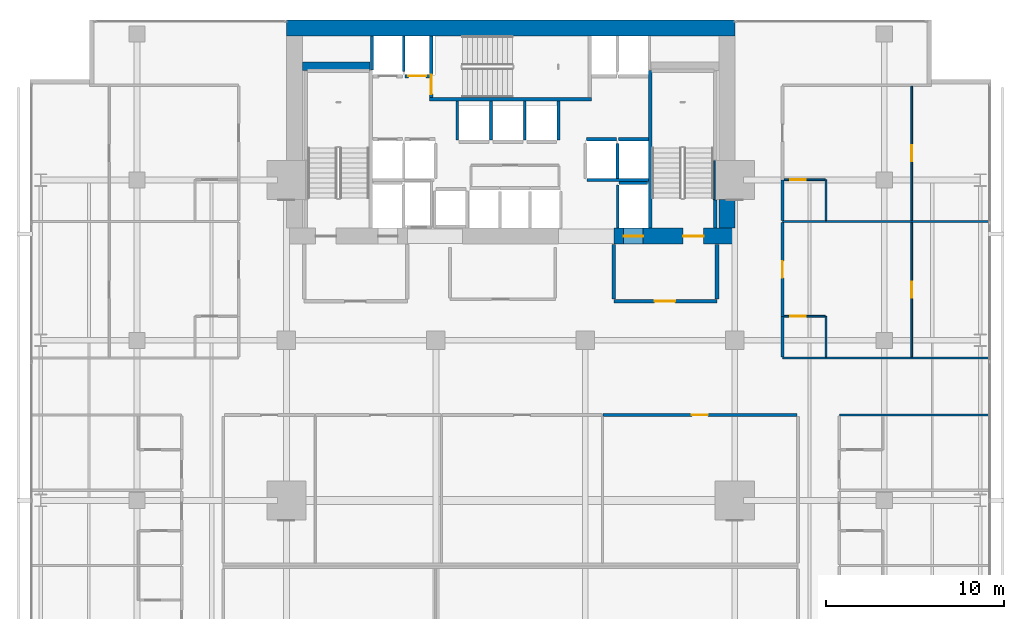
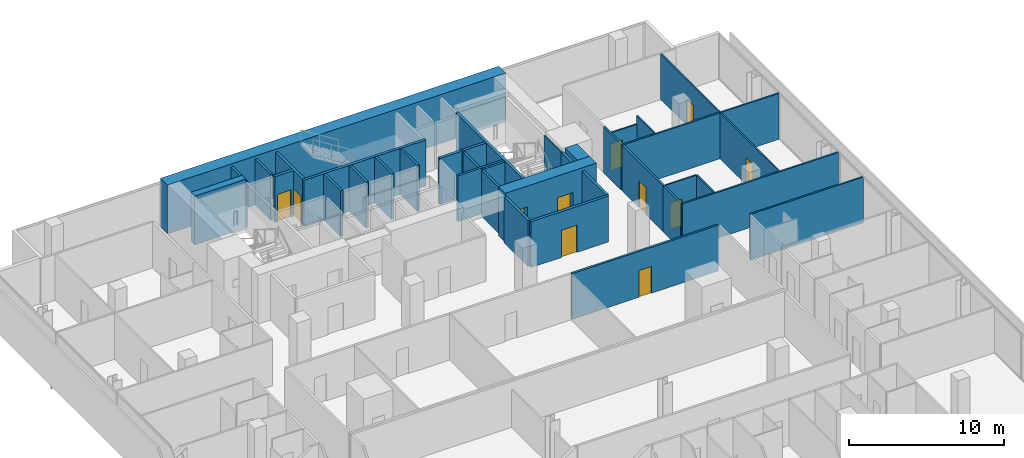
# One storey, part 37 of 40: 38 walls, 11 doors, 11 openings.
"""IFC4 building model written with IfcOpenShell, lengths in metres."""

from ifc_helpers import new_model, si_unit, direction, frame, frame_2d, origin, place, context, subcontext, project, spatial, rectangle, extrude, material, layer, layer_set, type_object, element, fill, save


model = new_model("IFC4")

# Units and contexts
model_context = context("Model", 3, precision=1e-05, world=origin(), true_north=direction((0.0, 1.0)))
body_context = subcontext(model_context, "Body", "Model", "MODEL_VIEW")
ifc_project = project(units=[si_unit("LENGTHUNIT", "METRE"), si_unit("AREAUNIT", "SQUARE_METRE"), si_unit("VOLUMEUNIT", "CUBIC_METRE"), si_unit("PLANEANGLEUNIT", "RADIAN"), si_unit("MASSUNIT", "GRAM", prefix="KILO")], contexts=[model_context])

# Site, building, storey
site_placement = place(None, origin())
site = spatial("IfcSite", under=ifc_project, at=site_placement, CompositionType="ELEMENT")
building_placement = place(site_placement, origin())
building = spatial("IfcBuilding", under=site, at=building_placement, Name="Maruvema Waterfront Hotel and Observation Tower", CompositionType="ELEMENT")
storey_placement = place(building_placement, frame((0.0, 0.0, 30.800048828125)))
storey = spatial("IfcBuildingStorey", under=building, at=storey_placement, Name="L06", CompositionType="ELEMENT", Elevation=30.800048828125)

# Wall, opening, door
ifc_material_1 = material(Name="Twin-stud acoustic gypsum drywall", Category="gypsum")
ifc_layer_1 = layer(ifc_material_1, 0.14990234375, Name="Acoustic Corridor and Suite Demising Wall 150 mm")
ifc_layer_set_1 = layer_set([ifc_layer_1], Name="Twin-stud acoustic gypsum drywall")
wall_type_1 = type_object("IfcWallType", Name="Acoustic Corridor and Suite Demising Wall 150 mm", PredefinedType="PARTITIONING", material=ifc_layer_set_1)
wall_1_placement = place(storey_placement, frame((42.998046875, 31.800048828125, 0.0), z_axis=(0.0, 0.0, 1.0), x_axis=(1.0, 0.0, 0.0)))
wall_1 = element("IfcWall", 1, at=wall_1_placement, inside=storey, type_object=wall_type_1, Name="L06 L06-INTN Front 4 025", PredefinedType="PARTITIONING", context=body_context, shape_type="SweptSolid", body=[
    extrude(rectangle(XDim=10.891845703125, YDim=0.14990234375, at=frame_2d((5.44580078125, 0.0))), origin(), (0.0, 0.0, 1.0), 3.60986328125),
])
opening_1_placement = place(wall_1_placement, frame((4.99609375, 0.0, 0.0)))
opening_1 = element("IfcOpeningElement", 2, at=opening_1_placement, cuts=wall_1, Name="Opening DR-090", PredefinedType="OPENING", context=body_context, shape_type="SweptSolid", body=[
    extrude(rectangle(XDim=0.89990234375, YDim=2.10009765625, at=frame_2d((0.449951171875, 1.050048828125))), frame((0.0, 0.0849609375, 0.0), z_axis=(0.0, -1.0, 0.0), x_axis=(1.0, 0.0, 0.0)), (0.0, 0.0, 1.0), 0.169921875),
])
ifc_material_2 = material(Name="Solid-core lacquered timber leaf", Category="wood")
door_type_1 = type_object("IfcDoorType", Name="Accessible Toilet and Room Door 900x2100 mm", OperationType="NOTDEFINED", PredefinedType="DOOR", material=ifc_material_2)
door_1_placement = place(opening_1_placement, origin())
door_1 = element("IfcDoor", 3, at=door_1_placement, inside=storey, type_object=door_type_1, Name="L06 Housekeeping Linen Room Door", OperationType="SINGLE_SWING_RIGHT", OverallHeight=2.10009765625, OverallWidth=0.89990234375, PredefinedType="DOOR", context=body_context, shape_type="SweptSolid", body=[
    extrude(rectangle(XDim=0.89990234375, YDim=2.10009765625, at=frame_2d((0.449951171875, 1.050048828125))), frame((0.0, 0.02490234375, 0.0), z_axis=(0.0, -1.0, 0.0), x_axis=(1.0, 0.0, 0.0)), (0.0, 0.0, 1.0), 0.050048828125),
])
fill(opening_1, door_1)

# Wall
wall_2_placement = place(storey_placement, frame((53.080078125, 35.06005859375, 0.0), z_axis=(0.0, 0.0, 1.0), x_axis=(0.0, 1.0, 0.0)))
element("IfcWall", 4, at=wall_2_placement, inside=storey, type_object=wall_type_1, Name="L06 Bath L06-NE1 Wall 126", PredefinedType="PARTITIONING", context=body_context, shape_type="SweptSolid", body=[
    extrude(rectangle(XDim=2.2900390625, YDim=0.14990234375, at=frame_2d((1.14501953125, 0.0))), origin(), (0.0, 0.0, 1.0), 3.60986328125),
])

# Wall, opening, door
wall_3_placement = place(storey_placement, frame((53.080078125, 37.35009765625, 0.0), z_axis=(0.0, 0.0, 1.0), x_axis=(0.0, 1.0, 0.0)))
wall_3 = element("IfcWall", 5, at=wall_3_placement, inside=storey, type_object=wall_type_1, Name="L06 Room L06-NE1 Corridor Wall 127", PredefinedType="PARTITIONING", context=body_context, shape_type="SweptSolid", body=[
    extrude(rectangle(XDim=5.2587890625, YDim=0.14990234375, at=frame_2d((2.62939453125, 0.0))), origin(), (0.0, 0.0, 1.0), 3.60986328125),
])
opening_2_placement = place(wall_3_placement, frame((2.154296875, 0.0, 0.0)))
opening_2 = element("IfcOpeningElement", 6, at=opening_2_placement, cuts=wall_3, Name="Opening DR-095", PredefinedType="OPENING", context=body_context, shape_type="SweptSolid", body=[
    extrude(rectangle(XDim=0.949951171875, YDim=2.14990234375, at=frame_2d((0.47509765625, 1.074951171875))), frame((0.0, 0.0849609375, 0.0), z_axis=(0.0, -1.0, 0.0), x_axis=(1.0, 0.0, 0.0)), (0.0, 0.0, 1.0), 0.169921875),
])
ifc_material_3 = material(Name="Acoustic solid-core hardwood timber leaf", Category="wood")
door_type_2 = type_object("IfcDoorType", Name="Guestroom Entrance Fire Door 950x2150 mm", OperationType="NOTDEFINED", PredefinedType="DOOR", material=ifc_material_3)
door_2_placement = place(opening_2_placement, frame((0.949951171875, 0.0, 0.0), z_axis=(0.0, 0.0, 1.0), x_axis=(-1.0, 0.0, 0.0)))
door_2 = element("IfcDoor", 7, at=door_2_placement, inside=storey, type_object=door_type_2, Name="L06 Room L06-NE1 Entrance Door", OperationType="SINGLE_SWING_LEFT", OverallHeight=2.14990234375, OverallWidth=0.949951171875, PredefinedType="DOOR", context=body_context, shape_type="SweptSolid", body=[
    extrude(rectangle(XDim=0.949951171875, YDim=2.14990234375, at=frame_2d((0.47509765625, 1.074951171875))), frame((0.0, 0.02490234375, 0.0), z_axis=(0.0, -1.0, 0.0), x_axis=(1.0, 0.0, 0.0)), (0.0, 0.0, 1.0), 0.050048828125),
])
fill(opening_2, door_2)

# Walls
wall_4_placement = place(storey_placement, frame((53.080078125, 42.728759765625, 0.0), z_axis=(0.0, 0.0, 1.0), x_axis=(0.0, 1.0, 0.0)))
element("IfcWall", 8, at=wall_4_placement, inside=storey, type_object=wall_type_1, Name="L06 Bath L06-NE2 Wall 138", PredefinedType="PARTITIONING", context=body_context, shape_type="SweptSolid", body=[
    extrude(rectangle(XDim=2.2900390625, YDim=0.14990234375, at=frame_2d((1.14501953125, 0.0))), origin(), (0.0, 0.0, 1.0), 3.60986328125),
])
ifc_material_4 = material(Name="Precast concrete C45/55", Category="concrete")
ifc_layer_2 = layer(ifc_material_4, 0.199951171875, Name="Core Shaft and Stairwell Enclosure Wall 200 mm")
ifc_layer_set_2 = layer_set([ifc_layer_2], Name="Precast concrete C45/55")
wall_type_2 = type_object("IfcWallType", Name="Core Shaft and Stairwell Enclosure Wall 200 mm", PredefinedType="SOLIDWALL", material=ifc_layer_set_2)
wall_5_placement = place(storey_placement, frame((33.25, 49.550048828125, 0.0), z_axis=(0.0, 0.0, 1.0), x_axis=(1.0, 0.0, 0.0)))
element("IfcWall", 9, at=wall_5_placement, inside=storey, type_object=wall_type_2, Name="L06 Stairwell ST-02 Shaft Wall", PredefinedType="SOLIDWALL", context=body_context, shape_type="SweptSolid", body=[
    extrude(rectangle(XDim=9.10009765625, YDim=0.199951171875, at=frame_2d((4.550048828125, 0.0))), origin(), (0.0, 0.0, 1.0), 3.60986328125),
])

# Wall, opening, door
wall_6_placement = place(storey_placement, frame((33.35009765625, 49.64990234375, 0.0), z_axis=(0.0, 0.0, 1.0), x_axis=(0.0, 1.0, 0.0)))
wall_6 = element("IfcWall", 10, at=wall_6_placement, inside=storey, type_object=wall_type_2, Name="L06 Stairwell ST-02 Shaft Wall", PredefinedType="SOLIDWALL", context=body_context, shape_type="SweptSolid", body=[
    extrude(rectangle(XDim=3.4501953125, YDim=0.199951171875, at=frame_2d((1.72509765625, 0.0))), origin(), (0.0, 0.0, 1.0), 3.60986328125),
])
opening_3_placement = place(wall_6_placement, frame((0.179931640625, 0.0, 0.0)))
opening_3 = element("IfcOpeningElement", 11, at=opening_3_placement, cuts=wall_6, Name="Opening SD-02", PredefinedType="OPENING", context=body_context, shape_type="SweptSolid", body=[
    extrude(rectangle(XDim=1.10009765625, YDim=2.14990234375, at=frame_2d((0.550048828125, 1.074951171875))), frame((0.0, 0.10986328125, 0.0), z_axis=(0.0, -1.0, 0.0), x_axis=(1.0, 0.0, 0.0)), (0.0, 0.0, 1.0), 0.219970703125),
])
ifc_material_5 = material(Name="Fire-rated galvanised steel leaf", Category="steel")
door_type_3 = type_object("IfcDoorType", Name="Central Exit Stair Fire Door 1100x2150 mm", OperationType="NOTDEFINED", PredefinedType="DOOR", material=ifc_material_5)
door_3_placement = place(opening_3_placement, frame((1.10009765625, 0.0, 0.0), z_axis=(0.0, 0.0, 1.0), x_axis=(-1.0, 0.0, 0.0)))
door_3 = element("IfcDoor", 12, at=door_3_placement, inside=storey, type_object=door_type_3, Name="L06 Exit Stair ST-02 Fire Door", OperationType="SINGLE_SWING_LEFT", OverallHeight=2.14990234375, OverallWidth=1.10009765625, PredefinedType="DOOR", context=body_context, shape_type="SweptSolid", body=[
    extrude(rectangle(XDim=1.10009765625, YDim=2.14990234375, at=frame_2d((0.550048828125, 1.074951171875))), frame((0.0, 0.02490234375, 0.0), z_axis=(0.0, -1.0, 0.0), x_axis=(1.0, 0.0, 0.0)), (0.0, 0.0, 1.0), 0.050048828125),
])
fill(opening_3, door_3)

# Walls
wall_7_placement = place(storey_placement, frame((45.64990234375, 42.300048828125, 0.0), z_axis=(0.0, 0.0, 1.0), x_axis=(0.0, 1.0, 0.0)))
element("IfcWall", 13, at=wall_7_placement, inside=storey, type_object=wall_type_2, Name="L06 Stairwell ST-03 West Shaft Wall", PredefinedType="SOLIDWALL", context=body_context, shape_type="SweptSolid", body=[
    extrude(rectangle(XDim=8.849853515625, YDim=0.199951171875, at=frame_2d((4.4248046875, 0.0))), origin(), (0.0, 0.0, 1.0), 3.60986328125),
])
wall_8_placement = place(storey_placement, frame((49.300048828125, 42.300048828125, 0.0), z_axis=(0.0, 0.0, 1.0), x_axis=(0.0, 1.0, 0.0)))
element("IfcWall", 14, at=wall_8_placement, inside=storey, type_object=wall_type_2, Name="L06 Stairwell ST-03 Shaft Lining Wall", PredefinedType="SOLIDWALL", context=body_context, shape_type="SweptSolid", body=[
    extrude(rectangle(XDim=1.579833984375, YDim=0.199951171875, at=frame_2d((0.7900390625, 0.0))), origin(), (0.0, 0.0, 1.0), 3.60986328125),
])

# Wall, opening, door
wall_9_placement = place(storey_placement, frame((31.860107421875, 50.85009765625, 0.0), z_axis=(0.0, 0.0, 1.0), x_axis=(1.0, 0.0, 0.0)))
wall_9 = element("IfcWall", 15, at=wall_9_placement, inside=storey, type_object=wall_type_2, Name="L06 Lift LF-04 Hoistway Front Wall", PredefinedType="SOLIDWALL", context=body_context, shape_type="SweptSolid", body=[
    extrude(rectangle(XDim=1.3798828125, YDim=0.199951171875, at=frame_2d((0.68994140625, 0.0))), origin(), (0.0, 0.0, 1.0), 3.60986328125),
])
opening_4_placement = place(wall_9_placement, frame((0.18994140625, 0.0, 0.0)))
opening_4 = element("IfcOpeningElement", 16, at=opening_4_placement, cuts=wall_9, Name="Opening LD-01", PredefinedType="OPENING", context=body_context, shape_type="SweptSolid", body=[
    extrude(rectangle(XDim=1.0, YDim=2.14990234375, at=frame_2d((0.5, 1.074951171875))), frame((0.0, 0.10986328125, 0.0), z_axis=(0.0, -1.0, 0.0), x_axis=(1.0, 0.0, 0.0)), (0.0, 0.0, 1.0), 0.219970703125),
])
ifc_material_6 = material(Name="Brushed stainless steel Grade 316", Category="steel")
door_type_4 = type_object("IfcDoorType", Name="Passenger Lift Sliding Landing Door 1000x2150 mm", OperationType="SLIDING_TO_LEFT", PredefinedType="DOOR", material=ifc_material_6)
door_4_placement = place(opening_4_placement, frame((1.0, 0.0, 0.0), z_axis=(0.0, 0.0, 1.0), x_axis=(-1.0, 0.0, 0.0)))
door_4 = element("IfcDoor", 17, at=door_4_placement, inside=storey, type_object=door_type_4, Name="L06 Lift LF-04 Sliding Landing Door", OperationType="SLIDING_TO_LEFT", OverallHeight=2.14990234375, OverallWidth=1.0, PredefinedType="DOOR", context=body_context, shape_type="SweptSolid", body=[
    extrude(rectangle(XDim=1.0, YDim=2.14990234375, at=frame_2d((0.5, 1.074951171875))), frame((0.0, 0.02490234375, 0.0), z_axis=(0.0, -1.0, 0.0), x_axis=(1.0, 0.0, 0.0)), (0.0, 0.0, 1.0), 0.050048828125),
])
fill(opening_4, door_4)

# Walls
for number, where, z_axis, x_axis, name in (
    (18, (42.06005859375, 47.300048828125, 0.0), (0.0, 0.0, 1.0), (1.0, 0.0, 0.0), "L06 Lift LF-05 Hoistway Front Wall"),
    (19, (43.860107421875, 47.300048828125, 0.0), (0.0, 0.0, 1.0), (1.0, 0.0, 0.0), "L06 Lift LF-06 Hoistway Front Wall"),
):
    element("IfcWall", number, at=place(storey_placement, frame(where, z_axis=z_axis, x_axis=x_axis)), inside=storey, type_object=wall_type_2, Name=name, PredefinedType="SOLIDWALL", context=body_context, shape_type="SweptSolid", body=[
        extrude(rectangle(XDim=1.679931640625, YDim=0.199951171875, at=frame_2d((0.83984375, 0.0))), origin(), (0.0, 0.0, 1.0), 3.60986328125),
    ])
ifc_material_7 = material(Name="Concrete C70/85", Category="concrete")
ifc_layer_3 = layer(ifc_material_7, 0.5, Name="Core Shear Wall 500 mm")
ifc_layer_set_3 = layer_set([ifc_layer_3], Name="Concrete C70/85")
wall_type_3 = type_object("IfcWallType", Name="Core Shear Wall 500 mm", PredefinedType="SHEAR", material=ifc_layer_set_3)
wall_10_placement = place(storey_placement, frame((26.10009765625, 51.39990234375, 0.0), z_axis=(0.0, 0.0, 1.0), x_axis=(1.0, 0.0, 0.0)))
element("IfcWall", 20, at=wall_10_placement, inside=storey, type_object=wall_type_3, Name="L06 Internal Core Shear Wall NW 500 mm", PredefinedType="SHEAR", context=body_context, shape_type="SweptSolid", body=[
    extrude(rectangle(XDim=3.7998046875, YDim=0.5, at=frame_2d((1.89990234375, 0.0))), origin(), (0.0, 0.0, 1.0), 3.849853515625),
])
ifc_material_8 = material(Name="Concrete C80/95", Category="concrete")
ifc_layer_4 = layer(ifc_material_8, 0.89990234375, Name="Core Shear Wall 900 mm")
ifc_layer_set_4 = layer_set([ifc_layer_4], Name="Concrete C80/95")
wall_type_4 = type_object("IfcWallType", Name="Core Shear Wall 900 mm", PredefinedType="SHEAR", material=ifc_layer_set_4)
wall_11_placement = place(storey_placement, frame((25.199951171875, 53.550048828125, 0.0), z_axis=(0.0, 0.0, 1.0), x_axis=(1.0, 0.0, 0.0)))
element("IfcWall", 21, at=wall_11_placement, inside=storey, type_object=wall_type_4, Name="L06 North Core Shear Wall", PredefinedType="SHEAR", context=body_context, shape_type="SweptSolid", body=[
    extrude(rectangle(XDim=25.199951171875, YDim=0.89990234375, at=frame_2d((12.60009765625, 0.0))), origin(), (0.0, 0.0, 1.0), 3.849853515625),
])

# Wall, openings, doors
wall_12_placement = place(storey_placement, frame((43.60009765625, 41.85009765625, 0.0), z_axis=(0.0, 0.0, 1.0), x_axis=(1.0, 0.0, 0.0)))
wall_12 = element("IfcWall", 22, at=wall_12_placement, inside=storey, type_object=wall_type_4, Name="L06 South-East Core Shear Wall", PredefinedType="SHEAR", context=body_context, shape_type="SweptSolid", body=[
    extrude(rectangle(XDim=6.7998046875, YDim=0.89990234375, at=frame_2d((3.39990234375, 0.0))), origin(), (0.0, 0.0, 1.0), 3.849853515625),
])
opening_5_placement = place(wall_12_placement, frame((3.89990234375, 0.0, 0.0)))
opening_5 = element("IfcOpeningElement", 23, at=opening_5_placement, cuts=wall_12, Name="Opening SD-01", PredefinedType="OPENING", context=body_context, shape_type="SweptSolid", body=[
    extrude(rectangle(XDim=1.14990234375, YDim=2.14990234375, at=frame_2d((0.574951171875, 1.074951171875))), frame((0.0, 0.4599609375, 0.0), z_axis=(0.0, -1.0, 0.0), x_axis=(1.0, 0.0, 0.0)), (0.0, 0.0, 1.0), 0.919921875),
])
opening_6_placement = place(wall_12_placement, frame((0.550048828125, 0.0, 0.0)))
opening_6 = element("IfcOpeningElement", 24, at=opening_6_placement, cuts=wall_12, Name="Opening LD-03", PredefinedType="OPENING", context=body_context, shape_type="SweptSolid", body=[
    extrude(rectangle(XDim=1.10009765625, YDim=2.199951171875, at=frame_2d((0.550048828125, 1.10009765625))), frame((0.0, 0.4599609375, 0.0), z_axis=(0.0, -1.0, 0.0), x_axis=(1.0, 0.0, 0.0)), (0.0, 0.0, 1.0), 0.919921875),
])
ifc_material_9 = material(Name="Fire-rated galvanised steel leaf", Category="steel")
door_type_5 = type_object("IfcDoorType", Name="Exit Stair Fire Door 1150x2150 mm", OperationType="NOTDEFINED", PredefinedType="DOOR", material=ifc_material_9)
door_5_placement = place(opening_5_placement, origin())
door_5 = element("IfcDoor", 25, at=door_5_placement, inside=storey, type_object=door_type_5, Name="L06 Exit Stair ST-03 Fire Door", OperationType="SINGLE_SWING_RIGHT", OverallHeight=2.14990234375, OverallWidth=1.14990234375, PredefinedType="DOOR", context=body_context, shape_type="SweptSolid", body=[
    extrude(rectangle(XDim=1.14990234375, YDim=2.14990234375, at=frame_2d((0.574951171875, 1.074951171875))), frame((0.0, 0.02490234375, 0.0), z_axis=(0.0, -1.0, 0.0), x_axis=(1.0, 0.0, 0.0)), (0.0, 0.0, 1.0), 0.050048828125),
])
fill(opening_5, door_5)
ifc_material_10 = material(Name="Brushed stainless steel Grade 316", Category="steel")
door_type_6 = type_object("IfcDoorType", Name="Firefighting Lift Sliding Landing Door 1100x2200 mm", OperationType="SLIDING_TO_LEFT", PredefinedType="DOOR", material=ifc_material_10)
door_6_placement = place(opening_6_placement, frame((1.10009765625, 0.0, 0.0), z_axis=(0.0, 0.0, 1.0), x_axis=(-1.0, 0.0, 0.0)))
door_6 = element("IfcDoor", 26, at=door_6_placement, inside=storey, type_object=door_type_6, Name="L06 Firefighting Lift FL-02 Landing Door", OperationType="SLIDING_TO_LEFT", OverallHeight=2.199951171875, OverallWidth=1.10009765625, PredefinedType="DOOR", context=body_context, shape_type="SweptSolid", body=[
    extrude(rectangle(XDim=1.10009765625, YDim=2.199951171875, at=frame_2d((0.550048828125, 1.10009765625))), frame((0.0, 0.02490234375, 0.0), z_axis=(0.0, -1.0, 0.0), x_axis=(1.0, 0.0, 0.0)), (0.0, 0.0, 1.0), 0.050048828125),
])
fill(opening_6, door_6)

# Walls
wall_13_placement = place(storey_placement, frame((49.949951171875, 42.300048828125, 0.0), z_axis=(0.0, 0.0, 1.0), x_axis=(0.0, 1.0, 0.0)))
element("IfcWall", 27, at=wall_13_placement, inside=storey, type_object=wall_type_4, Name="L06 East-South Core Shear Wall", PredefinedType="SHEAR", context=body_context, shape_type="SweptSolid", body=[
    extrude(rectangle(XDim=1.599853515625, YDim=0.89990234375, at=frame_2d((0.7998046875, 0.0))), origin(), (0.0, 0.0, 1.0), 3.849853515625),
])
ifc_material_11 = material(Name="Moisture-resistant cement-board drywall", Category="gypsum")
ifc_layer_5 = layer(ifc_material_11, 0.10009765625, Name="En-Suite Moisture-Resistant Partition 100 mm")
ifc_layer_set_5 = layer_set([ifc_layer_5], Name="Moisture-resistant cement-board drywall")
wall_type_5 = type_object("IfcWallType", Name="En-Suite Moisture-Resistant Partition 100 mm", PredefinedType="PARTITIONING", material=ifc_layer_set_5)
wall_14_placement = place(storey_placement, frame((55.530029296875, 35.06005859375, 0.0), z_axis=(0.0, 0.0, 1.0), x_axis=(0.0, 1.0, 0.0)))
element("IfcWall", 28, at=wall_14_placement, inside=storey, type_object=wall_type_5, Name="L06 En-Suite L06-NE1 E 128", PredefinedType="PARTITIONING", context=body_context, shape_type="SweptSolid", body=[
    extrude(rectangle(XDim=2.2900390625, YDim=0.10009765625, at=frame_2d((1.14501953125, 0.0))), origin(), (0.0, 0.0, 1.0), 3.60986328125),
])

# Wall, opening, door
wall_15_placement = place(storey_placement, frame((53.179931640625, 37.35009765625, 0.0), z_axis=(0.0, 0.0, 1.0), x_axis=(1.0, 0.0, 0.0)))
wall_15 = element("IfcWall", 29, at=wall_15_placement, inside=storey, type_object=wall_type_5, Name="L06 En-Suite L06-NE1 N 129", PredefinedType="PARTITIONING", context=body_context, shape_type="SweptSolid", body=[
    extrude(rectangle(XDim=2.300048828125, YDim=0.10009765625, at=frame_2d((1.14990234375, 0.0))), origin(), (0.0, 0.0, 1.0), 3.60986328125),
])
opening_7_placement = place(wall_15_placement, frame((0.35009765625, 0.0, 0.0)))
opening_7 = element("IfcOpeningElement", 30, at=opening_7_placement, cuts=wall_15, Name="Opening DR-085", PredefinedType="OPENING", context=body_context, shape_type="SweptSolid", body=[
    extrude(rectangle(XDim=0.85009765625, YDim=2.10009765625, at=frame_2d((0.425048828125, 1.050048828125))), frame((0.0, 0.06005859375, 0.0), z_axis=(0.0, -1.0, 0.0), x_axis=(1.0, 0.0, 0.0)), (0.0, 0.0, 1.0), 0.1201171875),
])
ifc_material_12 = material(Name="Moisture-resistant solid timber leaf", Category="wood")
door_type_7 = type_object("IfcDoorType", Name="En-Suite Bathroom Door 850x2100 mm", OperationType="NOTDEFINED", PredefinedType="DOOR", material=ifc_material_12)
door_7_placement = place(opening_7_placement, origin())
door_7 = element("IfcDoor", 31, at=door_7_placement, inside=storey, type_object=door_type_7, Name="L06 En-Suite L06-NE1 Door", OperationType="SINGLE_SWING_RIGHT", OverallHeight=2.10009765625, OverallWidth=0.85009765625, PredefinedType="DOOR", context=body_context, shape_type="SweptSolid", body=[
    extrude(rectangle(XDim=0.85009765625, YDim=2.10009765625, at=frame_2d((0.425048828125, 1.050048828125))), frame((0.0, 0.02490234375, 0.0), z_axis=(0.0, -1.0, 0.0), x_axis=(1.0, 0.0, 0.0)), (0.0, 0.0, 1.0), 0.050048828125),
])
fill(opening_7, door_7)

wall_16_placement = place(storey_placement, frame((60.350341796875, 35.06005859375, 0.0), z_axis=(0.0, 0.0, 1.0), x_axis=(0.0, 1.0, 0.0)))
wall_16 = element("IfcWall", 32, at=wall_16_placement, inside=storey, type_object=wall_type_5, Name="L06 Suite L06-NE1 Split 130", PredefinedType="PARTITIONING", context=body_context, shape_type="SweptSolid", body=[
    extrude(rectangle(XDim=7.548828125, YDim=0.10009765625, at=frame_2d((3.7744140625, 0.0))), origin(), (0.0, 0.0, 1.0), 3.60986328125),
])
opening_8_placement = place(wall_16_placement, frame((3.324462890625, 0.0, 0.0)))
opening_8 = element("IfcOpeningElement", 33, at=opening_8_placement, cuts=wall_16, Name="Opening DR-090", PredefinedType="OPENING", context=body_context, shape_type="SweptSolid", body=[
    extrude(rectangle(XDim=0.89990234375, YDim=2.10009765625, at=frame_2d((0.449951171875, 1.050048828125))), frame((0.0, 0.06005859375, 0.0), z_axis=(0.0, -1.0, 0.0), x_axis=(1.0, 0.0, 0.0)), (0.0, 0.0, 1.0), 0.1201171875),
])
door_8_placement = place(opening_8_placement, frame((0.89990234375, 0.0, 0.0), z_axis=(0.0, 0.0, 1.0), x_axis=(-1.0, 0.0, 0.0)))
door_8 = element("IfcDoor", 34, at=door_8_placement, inside=storey, type_object=door_type_1, Name="L06 Suite L06-NE1 Bedroom Door", OperationType="SINGLE_SWING_RIGHT", OverallHeight=2.10009765625, OverallWidth=0.89990234375, PredefinedType="DOOR", context=body_context, shape_type="SweptSolid", body=[
    extrude(rectangle(XDim=0.89990234375, YDim=2.10009765625, at=frame_2d((0.449951171875, 1.050048828125))), frame((0.0, 0.02490234375, 0.0), z_axis=(0.0, -1.0, 0.0), x_axis=(1.0, 0.0, 0.0)), (0.0, 0.0, 1.0), 0.050048828125),
])
fill(opening_8, door_8)

# Wall
wall_17_placement = place(storey_placement, frame((55.530029296875, 42.728759765625, 0.0), z_axis=(0.0, 0.0, 1.0), x_axis=(0.0, 1.0, 0.0)))
element("IfcWall", 35, at=wall_17_placement, inside=storey, type_object=wall_type_5, Name="L06 En-Suite L06-NE2 E 140", PredefinedType="PARTITIONING", context=body_context, shape_type="SweptSolid", body=[
    extrude(rectangle(XDim=2.2900390625, YDim=0.10009765625, at=frame_2d((1.14501953125, 0.0))), origin(), (0.0, 0.0, 1.0), 3.60986328125),
])

# Wall, opening, door
wall_18_placement = place(storey_placement, frame((53.179931640625, 45.018798828125, 0.0), z_axis=(0.0, 0.0, 1.0), x_axis=(1.0, 0.0, 0.0)))
wall_18 = element("IfcWall", 36, at=wall_18_placement, inside=storey, type_object=wall_type_5, Name="L06 En-Suite L06-NE2 N 141", PredefinedType="PARTITIONING", context=body_context, shape_type="SweptSolid", body=[
    extrude(rectangle(XDim=2.300048828125, YDim=0.10009765625, at=frame_2d((1.14990234375, 0.0))), origin(), (0.0, 0.0, 1.0), 2.974853515625),
])
opening_9_placement = place(wall_18_placement, frame((0.35009765625, 0.0, 0.0)))
opening_9 = element("IfcOpeningElement", 37, at=opening_9_placement, cuts=wall_18, Name="Opening DR-085", PredefinedType="OPENING", context=body_context, shape_type="SweptSolid", body=[
    extrude(rectangle(XDim=0.85009765625, YDim=2.10009765625, at=frame_2d((0.425048828125, 1.050048828125))), frame((0.0, 0.06005859375, 0.0), z_axis=(0.0, -1.0, 0.0), x_axis=(1.0, 0.0, 0.0)), (0.0, 0.0, 1.0), 0.1201171875),
])
door_9_placement = place(opening_9_placement, origin())
door_9 = element("IfcDoor", 38, at=door_9_placement, inside=storey, type_object=door_type_7, Name="L06 En-Suite L06-NE2 Door", OperationType="SINGLE_SWING_RIGHT", OverallHeight=2.10009765625, OverallWidth=0.85009765625, PredefinedType="DOOR", context=body_context, shape_type="SweptSolid", body=[
    extrude(rectangle(XDim=0.85009765625, YDim=2.10009765625, at=frame_2d((0.425048828125, 1.050048828125))), frame((0.0, 0.02490234375, 0.0), z_axis=(0.0, -1.0, 0.0), x_axis=(1.0, 0.0, 0.0)), (0.0, 0.0, 1.0), 0.050048828125),
])
fill(opening_9, door_9)

wall_19_placement = place(storey_placement, frame((60.350341796875, 42.728759765625, 0.0), z_axis=(0.0, 0.0, 1.0), x_axis=(0.0, 1.0, 0.0)))
wall_19 = element("IfcWall", 39, at=wall_19_placement, inside=storey, type_object=wall_type_5, Name="L06 Suite L06-NE2 Split 142", PredefinedType="PARTITIONING", context=body_context, shape_type="SweptSolid", body=[
    extrude(rectangle(XDim=7.548828125, YDim=0.10009765625, at=frame_2d((3.7744140625, 0.0))), origin(), (0.0, 0.0, 1.0), 3.60986328125),
])
opening_10_placement = place(wall_19_placement, frame((3.324462890625, 0.0, 0.0)))
opening_10 = element("IfcOpeningElement", 40, at=opening_10_placement, cuts=wall_19, Name="Opening DR-090", PredefinedType="OPENING", context=body_context, shape_type="SweptSolid", body=[
    extrude(rectangle(XDim=0.89990234375, YDim=2.10009765625, at=frame_2d((0.449951171875, 1.050048828125))), frame((0.0, 0.06005859375, 0.0), z_axis=(0.0, -1.0, 0.0), x_axis=(1.0, 0.0, 0.0)), (0.0, 0.0, 1.0), 0.1201171875),
])
door_10_placement = place(opening_10_placement, frame((0.89990234375, 0.0, 0.0), z_axis=(0.0, 0.0, 1.0), x_axis=(-1.0, 0.0, 0.0)))
door_10 = element("IfcDoor", 41, at=door_10_placement, inside=storey, type_object=door_type_1, Name="L06 Suite L06-NE2 Bedroom Door", OperationType="SINGLE_SWING_RIGHT", OverallHeight=2.10009765625, OverallWidth=0.89990234375, PredefinedType="DOOR", context=body_context, shape_type="SweptSolid", body=[
    extrude(rectangle(XDim=0.89990234375, YDim=2.10009765625, at=frame_2d((0.449951171875, 1.050048828125))), frame((0.0, 0.02490234375, 0.0), z_axis=(0.0, -1.0, 0.0), x_axis=(1.0, 0.0, 0.0)), (0.0, 0.0, 1.0), 0.050048828125),
])
fill(opening_10, door_10)

ifc_material_13 = material(Name="Autoclaved cellular concrete blockwork", Category="masonry")
ifc_layer_6 = layer(ifc_material_13, 0.199951171875, Name="Fire Compartment Masonry Wall 200 mm")
ifc_layer_set_6 = layer_set([ifc_layer_6], Name="Autoclaved cellular concrete blockwork")
wall_type_6 = type_object("IfcWallType", Name="Fire Compartment Masonry Wall 200 mm", PredefinedType="PARTITIONING", material=ifc_layer_set_6)
wall_20_placement = place(storey_placement, frame((43.60009765625, 38.199951171875, 0.0), z_axis=(0.0, 0.0, 1.0), x_axis=(1.0, 0.0, 0.0)))
wall_20 = element("IfcWall", 42, at=wall_20_placement, inside=storey, type_object=wall_type_6, Name="L06 FFL East South Wall 004", PredefinedType="PARTITIONING", context=body_context, shape_type="SweptSolid", body=[
    extrude(rectangle(XDim=5.7998046875, YDim=0.199951171875, at=frame_2d((2.89990234375, 0.0))), origin(), (0.0, 0.0, 1.0), 3.60986328125),
])
opening_11_placement = place(wall_20_placement, frame((2.300048828125, 0.0, 0.0)))
opening_11 = element("IfcOpeningElement", 43, at=opening_11_placement, cuts=wall_20, Name="Opening FD-115", PredefinedType="OPENING", context=body_context, shape_type="SweptSolid", body=[
    extrude(rectangle(XDim=1.14990234375, YDim=2.14990234375, at=frame_2d((0.574951171875, 1.074951171875))), frame((0.0, 0.10986328125, 0.0), z_axis=(0.0, -1.0, 0.0), x_axis=(1.0, 0.0, 0.0)), (0.0, 0.0, 1.0), 0.219970703125),
])
ifc_material_14 = material(Name="Fire-rated galvanised steel and vision glass", Category="steel")
door_type_8 = type_object("IfcDoorType", Name="Firefighting Lobby Fire Door 1150x2150 mm", OperationType="NOTDEFINED", PredefinedType="DOOR", material=ifc_material_14)
door_11_placement = place(opening_11_placement, frame((1.14990234375, 0.0, 0.0), z_axis=(0.0, 0.0, 1.0), x_axis=(-1.0, 0.0, 0.0)))
door_11 = element("IfcDoor", 44, at=door_11_placement, inside=storey, type_object=door_type_8, Name="L06 Firefighting Lobby East Door", OperationType="SINGLE_SWING_LEFT", OverallHeight=2.14990234375, OverallWidth=1.14990234375, PredefinedType="DOOR", context=body_context, shape_type="SweptSolid", body=[
    extrude(rectangle(XDim=1.14990234375, YDim=2.14990234375, at=frame_2d((0.574951171875, 1.074951171875))), frame((0.0, 0.02490234375, 0.0), z_axis=(0.0, -1.0, 0.0), x_axis=(1.0, 0.0, 0.0)), (0.0, 0.0, 1.0), 0.050048828125),
])
fill(opening_11, door_11)

# Walls
for number, where, z_axis, x_axis, name in (
    (45, (43.60009765625, 38.31005859375, 0.0), (0.0, 0.0, 1.0), (0.0, 1.0, 0.0), "L06 FFL East West Wall 005"),
    (46, (49.39990234375, 38.31005859375, 0.0), (0.0, 0.0, 1.0), (0.0, 1.0, 0.0), "L06 FFL East East Wall 006"),
):
    element("IfcWall", number, at=place(storey_placement, frame(where, z_axis=z_axis, x_axis=x_axis)), inside=storey, type_object=wall_type_6, Name=name, PredefinedType="PARTITIONING", context=body_context, shape_type="SweptSolid", body=[
        extrude(rectangle(XDim=3.06982421875, YDim=0.199951171875, at=frame_2d((1.534912109375, 0.0))), origin(), (0.0, 0.0, 1.0), 3.60986328125),
    ])
ifc_material_15 = material(Name="Acoustic gypsum plasterboard drywall", Category="gypsum")
ifc_layer_7 = layer(ifc_material_15, 0.125, Name="Guestroom Acoustic Demising Wall 125 mm")
ifc_layer_set_7 = layer_set([ifc_layer_7], Name="Acoustic gypsum plasterboard drywall")
wall_type_7 = type_object("IfcWallType", Name="Guestroom Acoustic Demising Wall 125 mm", PredefinedType="PARTITIONING", material=ifc_layer_set_7)
wall_21_placement = place(storey_placement, frame((56.280029296875, 31.800048828125, 0.0), z_axis=(0.0, 0.0, 1.0), x_axis=(1.0, 0.0, 0.0)))
element("IfcWall", 47, at=wall_21_placement, inside=storey, type_object=wall_type_7, Name="L06 E Top End 078", PredefinedType="PARTITIONING", context=body_context, shape_type="SweptSolid", body=[
    extrude(rectangle(XDim=8.419921875, YDim=0.125, at=frame_2d((4.2099609375, 0.0))), origin(), (0.0, 0.0, 1.0), 3.60986328125),
])
for number, where, z_axis, x_axis, name in (
    (48, (53.080078125, 35.0, 0.0), (0.0, 0.0, 1.0), (1.0, 0.0, 0.0), "L06 NE Bot End 118"),
    (49, (53.080078125, 42.668701171875, 0.0), (0.0, 0.0, 1.0), (1.0, 0.0, 0.0), "L06 NE Demising 2 132"),
):
    element("IfcWall", number, at=place(storey_placement, frame(where, z_axis=z_axis, x_axis=x_axis)), inside=storey, type_object=wall_type_7, Name=name, PredefinedType="PARTITIONING", context=body_context, shape_type="SweptSolid", body=[
        extrude(rectangle(XDim=11.619873046875, YDim=0.125, at=frame_2d((5.81005859375, 0.0))), origin(), (0.0, 0.0, 1.0), 3.60986328125),
    ])
ifc_material_16 = material(Name="Precast concrete C45/55", Category="concrete")
ifc_layer_8 = layer(ifc_material_16, 0.159912109375, Name="Lift Hoistway Divider Wall 160 mm")
ifc_layer_set_8 = layer_set([ifc_layer_8], Name="Precast concrete C45/55")
wall_type_8 = type_object("IfcWallType", Name="Lift Hoistway Divider Wall 160 mm", PredefinedType="SOLIDWALL", material=ifc_layer_set_8)
wall_22_placement = place(storey_placement, frame((43.89990234375, 44.830078125, 0.0), z_axis=(0.0, 0.0, 1.0), x_axis=(1.0, 0.0, 0.0)))
element("IfcWall", 50, at=wall_22_placement, inside=storey, type_object=wall_type_8, Name="L06 Lift FL-02 Rear Hoistway Wall", PredefinedType="SOLIDWALL", context=body_context, shape_type="SweptSolid", body=[
    extrude(rectangle(XDim=1.60009765625, YDim=0.159912109375, at=frame_2d((0.800048828125, 0.0))), origin(), (0.0, 0.0, 1.0), 3.60986328125),
])
wall_23_placement = place(storey_placement, frame((43.820068359375, 42.300048828125, 0.0), z_axis=(0.0, 0.0, 1.0), x_axis=(0.0, 1.0, 0.0)))
element("IfcWall", 51, at=wall_23_placement, inside=storey, type_object=wall_type_8, Name="L06 Lift FL-02 Inner Hoistway Wall", PredefinedType="SOLIDWALL", context=body_context, shape_type="SweptSolid", body=[
    extrude(rectangle(XDim=2.43994140625, YDim=0.159912109375, at=frame_2d((1.219970703125, 0.0))), origin(), (0.0, 0.0, 1.0), 3.60986328125),
])
wall_24_placement = place(storey_placement, frame((30.010009765625, 51.179931640625, 0.0), z_axis=(0.0, 0.0, 1.0), x_axis=(0.0, 1.0, 0.0)))
element("IfcWall", 52, at=wall_24_placement, inside=storey, type_object=wall_type_8, Name="L06 Hoistway Divider Wall", PredefinedType="SOLIDWALL", context=body_context, shape_type="SweptSolid", body=[
    extrude(rectangle(XDim=1.920166015625, YDim=0.159912109375, at=frame_2d((0.9599609375, 0.0))), origin(), (0.0, 0.0, 1.0), 3.60986328125),
])
wall_25_placement = place(storey_placement, frame((31.800048828125, 51.10009765625, 0.0), z_axis=(0.0, 0.0, 1.0), x_axis=(0.0, 1.0, 0.0)))
element("IfcWall", 53, at=wall_25_placement, inside=storey, type_object=wall_type_8, Name="L06 Hoistway Divider Wall", PredefinedType="SOLIDWALL", context=body_context, shape_type="SweptSolid", body=[
    extrude(rectangle(XDim=2.0, YDim=0.159912109375, at=frame_2d((1.0, 0.0))), origin(), (0.0, 0.0, 1.0), 3.60986328125),
])
wall_26_placement = place(storey_placement, frame((43.800048828125, 45.10009765625, 0.0), z_axis=(0.0, 0.0, 1.0), x_axis=(0.0, 1.0, 0.0)))
element("IfcWall", 54, at=wall_26_placement, inside=storey, type_object=wall_type_8, Name="L06 Hoistway Divider Wall", PredefinedType="SOLIDWALL", context=body_context, shape_type="SweptSolid", body=[
    extrude(rectangle(XDim=1.949951171875, YDim=0.159912109375, at=frame_2d((0.97509765625, 0.0))), origin(), (0.0, 0.0, 1.0), 3.60986328125),
])
wall_27_placement = place(storey_placement, frame((42.10009765625, 45.010009765625, 0.0), z_axis=(0.0, 0.0, 1.0), x_axis=(1.0, 0.0, 0.0)))
element("IfcWall", 55, at=wall_27_placement, inside=storey, type_object=wall_type_8, Name="L06 Hoistway Divider Wall", PredefinedType="SOLIDWALL", context=body_context, shape_type="SweptSolid", body=[
    extrude(rectangle(XDim=3.449951171875, YDim=0.159912109375, at=frame_2d((1.72509765625, 0.0))), origin(), (0.0, 0.0, 1.0), 3.60986328125),
])
for number, where, z_axis, x_axis, name in (
    (56, (34.800048828125, 47.25, 0.0), (0.0, 0.0, 1.0), (0.0, 1.0, 0.0), "L06 Hoistway Divider Wall"),
    (57, (36.699951171875, 47.25, 0.0), (0.0, 0.0, 1.0), (0.0, 1.0, 0.0), "L06 Hoistway Divider Wall"),
    (58, (38.60009765625, 47.25, 0.0), (0.0, 0.0, 1.0), (0.0, 1.0, 0.0), "L06 Hoistway Divider Wall"),
    (59, (40.5, 47.25, 0.0), (0.0, 0.0, 1.0), (0.0, 1.0, 0.0), "L06 Hoistway Divider Wall"),
):
    element("IfcWall", number, at=place(storey_placement, frame(where, z_axis=z_axis, x_axis=x_axis)), inside=storey, type_object=wall_type_8, Name=name, PredefinedType="SOLIDWALL", context=body_context, shape_type="SweptSolid", body=[
        extrude(rectangle(XDim=2.18994140625, YDim=0.159912109375, at=frame_2d((1.094970703125, 0.0))), origin(), (0.0, 0.0, 1.0), 3.60986328125),
    ])
ifc_material_17 = material(Name="Precast concrete C45/55", Category="concrete")
ifc_layer_9 = layer(ifc_material_17, 0.10009765625, Name="Stairwell Stringer Cheek Wall 100 mm")
ifc_layer_set_9 = layer_set([ifc_layer_9], Name="Precast concrete C45/55")
wall_type_9 = type_object("IfcWallType", Name="Stairwell Stringer Cheek Wall 100 mm", PredefinedType="SOLIDWALL", material=ifc_layer_set_9)
wall_28_placement = place(storey_placement, frame((49.248046875, 43.89990234375, 0.0), z_axis=(0.0, 0.0, 1.0), x_axis=(0.0, 1.0, 0.0)))
element("IfcWall", 60, at=wall_28_placement, inside=storey, type_object=wall_type_9, Name="L06 Stairwell ST-03 Mega-Column Cheek Wall", PredefinedType="SOLIDWALL", context=body_context, shape_type="SweptSolid", body=[
    extrude(rectangle(XDim=2.2001953125, YDim=0.10009765625, at=frame_2d((1.10009765625, 0.0))), origin(), (0.0, 0.0, 1.0), 3.60986328125),
])

save(model, "model.ifc")
